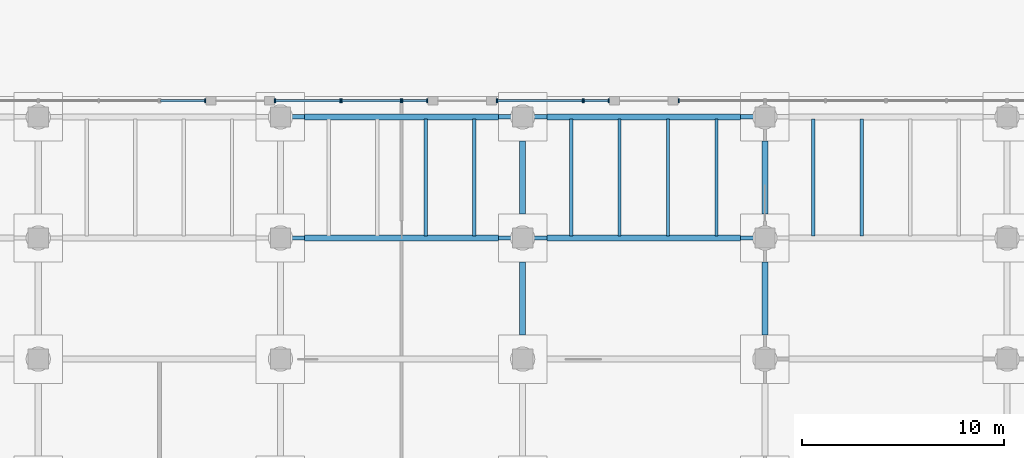
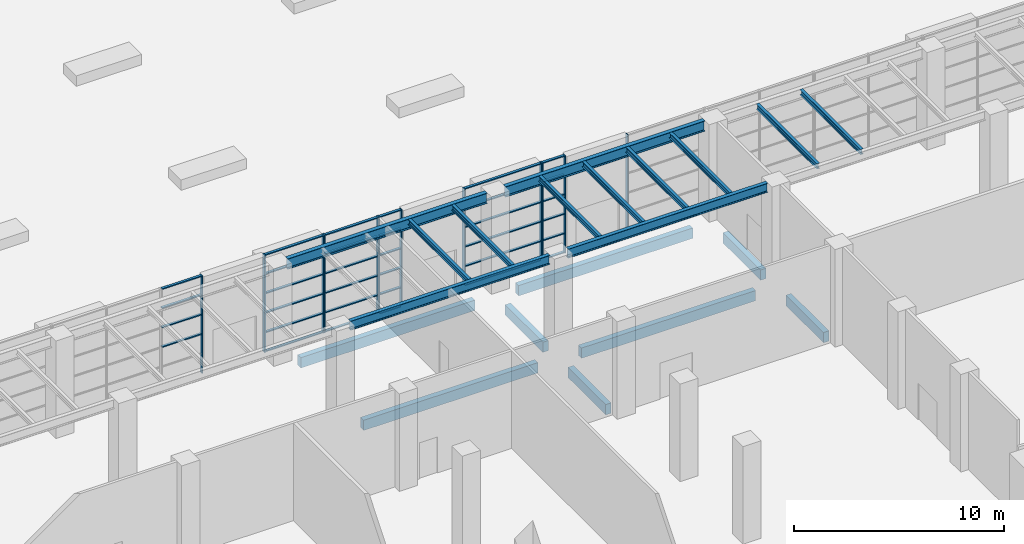
# One storey, part 4 of 27: 46 members, 20 beams, 7 elements without a shape of their own.
"""IFC4 building model written with IfcOpenShell, lengths in metres."""

from ifc_helpers import new_model, si_unit, direction, frame, origin, origin_2d, place, context, subcontext, project, spatial, rectangle, i_section, extrude, source, transform, mapped, material, layer, layer_set, material_profile, profile_set, type_object, element, aggregate, save


model = new_model("IFC4")

# Units and contexts
model_context = context("Model", 3, precision=1e-05, world=origin(), true_north=direction((0.0, 1.0)))
body_context = subcontext(model_context, "Body", "Model", "MODEL_VIEW")
ifc_project = project(units=[si_unit("LENGTHUNIT", "METRE"), si_unit("AREAUNIT", "SQUARE_METRE"), si_unit("VOLUMEUNIT", "CUBIC_METRE"), si_unit("PLANEANGLEUNIT", "RADIAN"), si_unit("MASSUNIT", "GRAM", prefix="KILO")], contexts=[model_context])

# Site, building, storey
site_placement = place(None, origin())
site = spatial("IfcSite", under=ifc_project, at=site_placement, CompositionType="ELEMENT")
building_placement = place(site_placement, origin())
building = spatial("IfcBuilding", under=site, at=building_placement, Name="Poui Terraces", CompositionType="ELEMENT")
storey_placement = place(building_placement, origin())
storey = spatial("IfcBuildingStorey", under=building, at=storey_placement, Name="L00", CompositionType="ELEMENT", Elevation=0.0)

# Curtain wall, member
ifc_material_1 = material(Name="Clear glass", Category="glass")
ifc_layer_1 = layer(ifc_material_1, 0.199951171875)
ifc_layer_set_1 = layer_set([ifc_layer_1], Name="Clear glass")
curtain_wall_type_1 = type_object("IfcCurtainWallType", Name="CURTAIN WALL CW-A HEALTH CENTRE FRONTAGE", PredefinedType="NOTDEFINED", material=ifc_layer_set_1)
curtain_wall_1_placement = place(storey_placement, origin())
curtain_wall_1 = element("IfcCurtainWall", 1, at=curtain_wall_1_placement, inside=storey, type_object=curtain_wall_type_1, Name="CW-A HEALTH CENTRE FRONTAGE", PredefinedType="NOTDEFINED")
ifc_material_2 = material(Name="Aluminium frame", Category="aluminium")
ifc_material_profile_1 = material_profile(ifc_material_2, rectangle(XDim=0.199951171875, YDim=0.06005859375, at=origin_2d()), Name="CW-A MULLION 60X200")
ifc_profile_set_1 = profile_set([ifc_material_profile_1], Name="Aluminium frame")
member_type_1 = type_object("IfcMemberType", Name="CW-A MULLION 60X200", PredefinedType="MULLION", material=ifc_profile_set_1)
member_1_placement = place(storey_placement, frame((20.27001953125, 74.800048828125, 0.0), z_axis=(0.0, 0.0, 1.0), x_axis=(0.0, -1.0, 0.0)))
member_1 = element("IfcMember", 2, at=member_1_placement, type_object=member_type_1, Name="CW-A mullion 1", PredefinedType="MULLION", context=body_context, shape_type="SweptSolid", body=[
    extrude(rectangle(XDim=0.199951171875, YDim=0.06005859375, at=origin_2d()), origin(), (0.0, 0.0, 1.0), 5.679931640625),
])

# Curtain wall, members
curtain_wall_2_placement = place(storey_placement, origin())
curtain_wall_2 = element("IfcCurtainWall", 3, at=curtain_wall_2_placement, inside=storey, type_object=curtain_wall_type_1, Name="CW-A HEALTH CENTRE FRONTAGE", PredefinedType="NOTDEFINED")
member_2_placement = place(storey_placement, frame((26.969970703125, 74.800048828125, 0.0), z_axis=(0.0, 0.0, 1.0), x_axis=(0.0, -1.0, 0.0)))
member_2 = element("IfcMember", 4, at=member_2_placement, type_object=member_type_1, Name="CW-A mullion 1", PredefinedType="MULLION", context=body_context, shape_type="SweptSolid", body=[
    extrude(rectangle(XDim=0.199951171875, YDim=0.06005859375, at=origin_2d()), origin(), (0.0, 0.0, 1.0), 5.679931640625),
])
member_3_placement = place(storey_placement, frame((23.72998046875, 74.800048828125, 0.0), z_axis=(0.0, 0.0, 1.0), x_axis=(0.0, -1.0, 0.0)))
member_3 = element("IfcMember", 5, at=member_3_placement, type_object=member_type_1, Name="CW-A mullion 2", PredefinedType="MULLION", context=body_context, shape_type="SweptSolid", body=[
    extrude(rectangle(XDim=0.199951171875, YDim=0.06005859375, at=origin_2d()), origin(), (0.0, 0.0, 1.0), 5.679931640625),
])

curtain_wall_3_placement = place(storey_placement, origin())
curtain_wall_3 = element("IfcCurtainWall", 6, at=curtain_wall_3_placement, inside=storey, type_object=curtain_wall_type_1, Name="CW-A HEALTH CENTRE FRONTAGE", PredefinedType="NOTDEFINED")
member_4_placement = place(storey_placement, frame((29.969970703125, 74.800048828125, 0.0), z_axis=(0.0, 0.0, 1.0), x_axis=(0.0, -1.0, 0.0)))
member_4 = element("IfcMember", 7, at=member_4_placement, type_object=member_type_1, Name="CW-A mullion 1", PredefinedType="MULLION", context=body_context, shape_type="SweptSolid", body=[
    extrude(rectangle(XDim=0.199951171875, YDim=0.06005859375, at=origin_2d()), origin(), (0.0, 0.0, 1.0), 5.679931640625),
])
member_5_placement = place(storey_placement, frame((27.030029296875, 74.800048828125, 0.0), z_axis=(0.0, 0.0, 1.0), x_axis=(0.0, -1.0, 0.0)))
member_5 = element("IfcMember", 8, at=member_5_placement, type_object=member_type_1, Name="CW-A mullion 2", PredefinedType="MULLION", context=body_context, shape_type="SweptSolid", body=[
    extrude(rectangle(XDim=0.199951171875, YDim=0.06005859375, at=origin_2d()), origin(), (0.0, 0.0, 1.0), 5.679931640625),
])

curtain_wall_4_placement = place(storey_placement, origin())
curtain_wall_4 = element("IfcCurtainWall", 9, at=curtain_wall_4_placement, inside=storey, type_object=curtain_wall_type_1, Name="CW-A HEALTH CENTRE FRONTAGE", PredefinedType="NOTDEFINED")
member_6_placement = place(storey_placement, frame((31.27001953125, 74.800048828125, 0.0), z_axis=(0.0, 0.0, 1.0), x_axis=(0.0, -1.0, 0.0)))
member_6 = element("IfcMember", 10, at=member_6_placement, type_object=member_type_1, Name="CW-A mullion 1", PredefinedType="MULLION", context=body_context, shape_type="SweptSolid", body=[
    extrude(rectangle(XDim=0.199951171875, YDim=0.06005859375, at=origin_2d()), origin(), (0.0, 0.0, 1.0), 5.679931640625),
])
member_7_placement = place(storey_placement, frame((30.030029296875, 74.800048828125, 0.0), z_axis=(0.0, 0.0, 1.0), x_axis=(0.0, -1.0, 0.0)))
member_7 = element("IfcMember", 11, at=member_7_placement, type_object=member_type_1, Name="CW-A mullion 2", PredefinedType="MULLION", context=body_context, shape_type="SweptSolid", body=[
    extrude(rectangle(XDim=0.199951171875, YDim=0.06005859375, at=origin_2d()), origin(), (0.0, 0.0, 1.0), 5.679931640625),
])

curtain_wall_5_placement = place(storey_placement, origin())
curtain_wall_5 = element("IfcCurtainWall", 12, at=curtain_wall_5_placement, inside=storey, type_object=curtain_wall_type_1, Name="CW-A HEALTH CENTRE FRONTAGE", PredefinedType="NOTDEFINED")
member_8_placement = place(storey_placement, frame((38.969970703125, 74.800048828125, 0.0), z_axis=(0.0, 0.0, 1.0), x_axis=(0.0, -1.0, 0.0)))
member_8 = element("IfcMember", 13, at=member_8_placement, type_object=member_type_1, Name="CW-A mullion 1", PredefinedType="MULLION", context=body_context, shape_type="SweptSolid", body=[
    extrude(rectangle(XDim=0.199951171875, YDim=0.06005859375, at=origin_2d()), origin(), (0.0, 0.0, 1.0), 5.679931640625),
])
member_9_placement = place(storey_placement, frame((34.72998046875, 74.800048828125, 0.0), z_axis=(0.0, 0.0, 1.0), x_axis=(0.0, -1.0, 0.0)))
member_9 = element("IfcMember", 14, at=member_9_placement, type_object=member_type_1, Name="CW-A mullion 2", PredefinedType="MULLION", context=body_context, shape_type="SweptSolid", body=[
    extrude(rectangle(XDim=0.199951171875, YDim=0.06005859375, at=origin_2d()), origin(), (0.0, 0.0, 1.0), 5.679931640625),
])

curtain_wall_6_placement = place(storey_placement, origin())
curtain_wall_6 = element("IfcCurtainWall", 15, at=curtain_wall_6_placement, inside=storey, type_object=curtain_wall_type_1, Name="CW-A HEALTH CENTRE FRONTAGE", PredefinedType="NOTDEFINED")
member_10_placement = place(storey_placement, frame((40.27001953125, 74.800048828125, 0.0), z_axis=(0.0, 0.0, 1.0), x_axis=(0.0, -1.0, 0.0)))
member_10 = element("IfcMember", 16, at=member_10_placement, type_object=member_type_1, Name="CW-A mullion 1", PredefinedType="MULLION", context=body_context, shape_type="SweptSolid", body=[
    extrude(rectangle(XDim=0.199951171875, YDim=0.06005859375, at=origin_2d()), origin(), (0.0, 0.0, 1.0), 5.679931640625),
])
member_11_placement = place(storey_placement, frame((39.030029296875, 74.800048828125, 0.0), z_axis=(0.0, 0.0, 1.0), x_axis=(0.0, -1.0, 0.0)))
member_11 = element("IfcMember", 17, at=member_11_placement, type_object=member_type_1, Name="CW-A mullion 2", PredefinedType="MULLION", context=body_context, shape_type="SweptSolid", body=[
    extrude(rectangle(XDim=0.199951171875, YDim=0.06005859375, at=origin_2d()), origin(), (0.0, 0.0, 1.0), 5.679931640625),
])

# Member
ifc_material_profile_2 = material_profile(ifc_material_2, rectangle(XDim=0.139892578125, YDim=0.06005859375, at=origin_2d()), Name="CW-A TRANSOM 60X140")
ifc_profile_set_2 = profile_set([ifc_material_profile_2], Name="Aluminium frame")
member_type_2 = type_object("IfcMemberType", Name="CW-A TRANSOM 60X140", PredefinedType="USERDEFINED", material=ifc_profile_set_2)
member_12_placement = place(storey_placement, frame((20.239990234375, 74.800048828125, 2.27197265625), z_axis=(-1.0, 0.0, 0.0), x_axis=(0.0, -1.0, 0.0)))
member_12 = element("IfcMember", 18, at=member_12_placement, type_object=member_type_2, Name="CW-A transom 1.3", ObjectType="TRANSOM", PredefinedType="USERDEFINED", context=body_context, shape_type="SweptSolid", body=[
    extrude(rectangle(XDim=0.139892578125, YDim=0.06005859375, at=origin_2d()), origin(), (0.0, 0.0, 1.0), 2.179931640625),
])

member_13_placement = place(storey_placement, frame((20.239990234375, 74.800048828125, 3.407958984375), z_axis=(-1.0, 0.0, 0.0), x_axis=(0.0, -1.0, 0.0)))
member_13 = element("IfcMember", 19, at=member_13_placement, type_object=member_type_2, Name="CW-A transom 1.4", ObjectType="TRANSOM", PredefinedType="USERDEFINED", context=body_context, shape_type="SweptSolid", body=[
    extrude(rectangle(XDim=0.139892578125, YDim=0.06005859375, at=origin_2d()), origin(), (0.0, 0.0, 1.0), 2.179931640625),
])

member_14_placement = place(storey_placement, frame((20.239990234375, 74.800048828125, 4.5439453125), z_axis=(-1.0, 0.0, 0.0), x_axis=(0.0, -1.0, 0.0)))
member_14 = element("IfcMember", 20, at=member_14_placement, type_object=member_type_2, Name="CW-A transom 1.5", ObjectType="TRANSOM", PredefinedType="USERDEFINED", context=body_context, shape_type="SweptSolid", body=[
    extrude(rectangle(XDim=0.139892578125, YDim=0.06005859375, at=origin_2d()), origin(), (0.0, 0.0, 1.0), 2.179931640625),
])

member_15_placement = place(storey_placement, frame((20.239990234375, 74.800048828125, 5.64990234375), z_axis=(-1.0, 0.0, 0.0), x_axis=(0.0, -1.0, 0.0)))
member_15 = element("IfcMember", 21, at=member_15_placement, type_object=member_type_2, Name="CW-A transom 1.6", ObjectType="TRANSOM", PredefinedType="USERDEFINED", context=body_context, shape_type="SweptSolid", body=[
    extrude(rectangle(XDim=0.139892578125, YDim=0.06005859375, at=origin_2d()), origin(), (0.0, 0.0, 1.0), 2.179931640625),
])

aggregate(curtain_wall_1, [member_1, member_12, member_13, member_14, member_15])

member_16_placement = place(storey_placement, frame((26.93994140625, 74.800048828125, 0.030029296875), z_axis=(-1.0, 0.0, 0.0), x_axis=(0.0, -1.0, 0.0)))
member_16 = element("IfcMember", 22, at=member_16_placement, type_object=member_type_2, Name="CW-A transom 1.1", ObjectType="TRANSOM", PredefinedType="USERDEFINED", context=body_context, shape_type="SweptSolid", body=[
    extrude(rectangle(XDim=0.139892578125, YDim=0.06005859375, at=origin_2d()), origin(), (0.0, 0.0, 1.0), 3.179931640625),
])

member_17_placement = place(storey_placement, frame((26.93994140625, 74.800048828125, 1.135986328125), z_axis=(-1.0, 0.0, 0.0), x_axis=(0.0, -1.0, 0.0)))
member_17 = element("IfcMember", 23, at=member_17_placement, type_object=member_type_2, Name="CW-A transom 1.2", ObjectType="TRANSOM", PredefinedType="USERDEFINED", context=body_context, shape_type="SweptSolid", body=[
    extrude(rectangle(XDim=0.139892578125, YDim=0.06005859375, at=origin_2d()), origin(), (0.0, 0.0, 1.0), 3.179931640625),
])

member_18_placement = place(storey_placement, frame((26.93994140625, 74.800048828125, 2.27197265625), z_axis=(-1.0, 0.0, 0.0), x_axis=(0.0, -1.0, 0.0)))
member_18 = element("IfcMember", 24, at=member_18_placement, type_object=member_type_2, Name="CW-A transom 1.3", ObjectType="TRANSOM", PredefinedType="USERDEFINED", context=body_context, shape_type="SweptSolid", body=[
    extrude(rectangle(XDim=0.139892578125, YDim=0.06005859375, at=origin_2d()), origin(), (0.0, 0.0, 1.0), 3.179931640625),
])

member_19_placement = place(storey_placement, frame((26.93994140625, 74.800048828125, 3.407958984375), z_axis=(-1.0, 0.0, 0.0), x_axis=(0.0, -1.0, 0.0)))
member_19 = element("IfcMember", 25, at=member_19_placement, type_object=member_type_2, Name="CW-A transom 1.4", ObjectType="TRANSOM", PredefinedType="USERDEFINED", context=body_context, shape_type="SweptSolid", body=[
    extrude(rectangle(XDim=0.139892578125, YDim=0.06005859375, at=origin_2d()), origin(), (0.0, 0.0, 1.0), 3.179931640625),
])

member_20_placement = place(storey_placement, frame((26.93994140625, 74.800048828125, 4.5439453125), z_axis=(-1.0, 0.0, 0.0), x_axis=(0.0, -1.0, 0.0)))
member_20 = element("IfcMember", 26, at=member_20_placement, type_object=member_type_2, Name="CW-A transom 1.5", ObjectType="TRANSOM", PredefinedType="USERDEFINED", context=body_context, shape_type="SweptSolid", body=[
    extrude(rectangle(XDim=0.139892578125, YDim=0.06005859375, at=origin_2d()), origin(), (0.0, 0.0, 1.0), 3.179931640625),
])

member_21_placement = place(storey_placement, frame((26.93994140625, 74.800048828125, 5.64990234375), z_axis=(-1.0, 0.0, 0.0), x_axis=(0.0, -1.0, 0.0)))
member_21 = element("IfcMember", 27, at=member_21_placement, type_object=member_type_2, Name="CW-A transom 1.6", ObjectType="TRANSOM", PredefinedType="USERDEFINED", context=body_context, shape_type="SweptSolid", body=[
    extrude(rectangle(XDim=0.139892578125, YDim=0.06005859375, at=origin_2d()), origin(), (0.0, 0.0, 1.0), 3.179931640625),
])

aggregate(curtain_wall_2, [member_2, member_3, member_16, member_17, member_18, member_19, member_20, member_21])

member_22_placement = place(storey_placement, frame((29.93994140625, 74.800048828125, 0.030029296875), z_axis=(-1.0, 0.0, 0.0), x_axis=(0.0, -1.0, 0.0)))
member_22 = element("IfcMember", 28, at=member_22_placement, type_object=member_type_2, Name="CW-A transom 1.1", ObjectType="TRANSOM", PredefinedType="USERDEFINED", context=body_context, shape_type="SweptSolid", body=[
    extrude(rectangle(XDim=0.139892578125, YDim=0.06005859375, at=origin_2d()), origin(), (0.0, 0.0, 1.0), 2.8798828125),
])

member_23_placement = place(storey_placement, frame((29.93994140625, 74.800048828125, 1.135986328125), z_axis=(-1.0, 0.0, 0.0), x_axis=(0.0, -1.0, 0.0)))
member_23 = element("IfcMember", 29, at=member_23_placement, type_object=member_type_2, Name="CW-A transom 1.2", ObjectType="TRANSOM", PredefinedType="USERDEFINED", context=body_context, shape_type="SweptSolid", body=[
    extrude(rectangle(XDim=0.139892578125, YDim=0.06005859375, at=origin_2d()), origin(), (0.0, 0.0, 1.0), 2.8798828125),
])

member_24_placement = place(storey_placement, frame((29.93994140625, 74.800048828125, 2.27197265625), z_axis=(-1.0, 0.0, 0.0), x_axis=(0.0, -1.0, 0.0)))
member_24 = element("IfcMember", 30, at=member_24_placement, type_object=member_type_2, Name="CW-A transom 1.3", ObjectType="TRANSOM", PredefinedType="USERDEFINED", context=body_context, shape_type="SweptSolid", body=[
    extrude(rectangle(XDim=0.139892578125, YDim=0.06005859375, at=origin_2d()), origin(), (0.0, 0.0, 1.0), 2.8798828125),
])

member_25_placement = place(storey_placement, frame((29.93994140625, 74.800048828125, 3.407958984375), z_axis=(-1.0, 0.0, 0.0), x_axis=(0.0, -1.0, 0.0)))
member_25 = element("IfcMember", 31, at=member_25_placement, type_object=member_type_2, Name="CW-A transom 1.4", ObjectType="TRANSOM", PredefinedType="USERDEFINED", context=body_context, shape_type="SweptSolid", body=[
    extrude(rectangle(XDim=0.139892578125, YDim=0.06005859375, at=origin_2d()), origin(), (0.0, 0.0, 1.0), 2.8798828125),
])

member_26_placement = place(storey_placement, frame((29.93994140625, 74.800048828125, 4.5439453125), z_axis=(-1.0, 0.0, 0.0), x_axis=(0.0, -1.0, 0.0)))
member_26 = element("IfcMember", 32, at=member_26_placement, type_object=member_type_2, Name="CW-A transom 1.5", ObjectType="TRANSOM", PredefinedType="USERDEFINED", context=body_context, shape_type="SweptSolid", body=[
    extrude(rectangle(XDim=0.139892578125, YDim=0.06005859375, at=origin_2d()), origin(), (0.0, 0.0, 1.0), 2.8798828125),
])

member_27_placement = place(storey_placement, frame((29.93994140625, 74.800048828125, 5.64990234375), z_axis=(-1.0, 0.0, 0.0), x_axis=(0.0, -1.0, 0.0)))
member_27 = element("IfcMember", 33, at=member_27_placement, type_object=member_type_2, Name="CW-A transom 1.6", ObjectType="TRANSOM", PredefinedType="USERDEFINED", context=body_context, shape_type="SweptSolid", body=[
    extrude(rectangle(XDim=0.139892578125, YDim=0.06005859375, at=origin_2d()), origin(), (0.0, 0.0, 1.0), 2.8798828125),
])

aggregate(curtain_wall_3, [member_4, member_5, member_22, member_23, member_24, member_25, member_26, member_27])

member_28_placement = place(storey_placement, frame((31.239990234375, 74.800048828125, 0.030029296875), z_axis=(-1.0, 0.0, 0.0), x_axis=(0.0, -1.0, 0.0)))
member_28 = element("IfcMember", 34, at=member_28_placement, type_object=member_type_2, Name="CW-A transom 1.1", ObjectType="TRANSOM", PredefinedType="USERDEFINED", context=body_context, shape_type="SweptSolid", body=[
    extrude(rectangle(XDim=0.139892578125, YDim=0.06005859375, at=origin_2d()), origin(), (0.0, 0.0, 1.0), 1.179931640625),
])

member_29_placement = place(storey_placement, frame((31.239990234375, 74.800048828125, 1.135986328125), z_axis=(-1.0, 0.0, 0.0), x_axis=(0.0, -1.0, 0.0)))
member_29 = element("IfcMember", 35, at=member_29_placement, type_object=member_type_2, Name="CW-A transom 1.2", ObjectType="TRANSOM", PredefinedType="USERDEFINED", context=body_context, shape_type="SweptSolid", body=[
    extrude(rectangle(XDim=0.139892578125, YDim=0.06005859375, at=origin_2d()), origin(), (0.0, 0.0, 1.0), 1.179931640625),
])

member_30_placement = place(storey_placement, frame((31.239990234375, 74.800048828125, 2.27197265625), z_axis=(-1.0, 0.0, 0.0), x_axis=(0.0, -1.0, 0.0)))
member_30 = element("IfcMember", 36, at=member_30_placement, type_object=member_type_2, Name="CW-A transom 1.3", ObjectType="TRANSOM", PredefinedType="USERDEFINED", context=body_context, shape_type="SweptSolid", body=[
    extrude(rectangle(XDim=0.139892578125, YDim=0.06005859375, at=origin_2d()), origin(), (0.0, 0.0, 1.0), 1.179931640625),
])

member_31_placement = place(storey_placement, frame((31.239990234375, 74.800048828125, 3.407958984375), z_axis=(-1.0, 0.0, 0.0), x_axis=(0.0, -1.0, 0.0)))
member_31 = element("IfcMember", 37, at=member_31_placement, type_object=member_type_2, Name="CW-A transom 1.4", ObjectType="TRANSOM", PredefinedType="USERDEFINED", context=body_context, shape_type="SweptSolid", body=[
    extrude(rectangle(XDim=0.139892578125, YDim=0.06005859375, at=origin_2d()), origin(), (0.0, 0.0, 1.0), 1.179931640625),
])

member_32_placement = place(storey_placement, frame((31.239990234375, 74.800048828125, 4.5439453125), z_axis=(-1.0, 0.0, 0.0), x_axis=(0.0, -1.0, 0.0)))
member_32 = element("IfcMember", 38, at=member_32_placement, type_object=member_type_2, Name="CW-A transom 1.5", ObjectType="TRANSOM", PredefinedType="USERDEFINED", context=body_context, shape_type="SweptSolid", body=[
    extrude(rectangle(XDim=0.139892578125, YDim=0.06005859375, at=origin_2d()), origin(), (0.0, 0.0, 1.0), 1.179931640625),
])

member_33_placement = place(storey_placement, frame((31.239990234375, 74.800048828125, 5.64990234375), z_axis=(-1.0, 0.0, 0.0), x_axis=(0.0, -1.0, 0.0)))
member_33 = element("IfcMember", 39, at=member_33_placement, type_object=member_type_2, Name="CW-A transom 1.6", ObjectType="TRANSOM", PredefinedType="USERDEFINED", context=body_context, shape_type="SweptSolid", body=[
    extrude(rectangle(XDim=0.139892578125, YDim=0.06005859375, at=origin_2d()), origin(), (0.0, 0.0, 1.0), 1.179931640625),
])

aggregate(curtain_wall_4, [member_6, member_7, member_28, member_29, member_30, member_31, member_32, member_33])

member_34_placement = place(storey_placement, frame((38.93994140625, 74.800048828125, 0.030029296875), z_axis=(-1.0, 0.0, 0.0), x_axis=(0.0, -1.0, 0.0)))
member_34 = element("IfcMember", 40, at=member_34_placement, type_object=member_type_2, Name="CW-A transom 1.1", ObjectType="TRANSOM", PredefinedType="USERDEFINED", context=body_context, shape_type="SweptSolid", body=[
    extrude(rectangle(XDim=0.139892578125, YDim=0.06005859375, at=origin_2d()), origin(), (0.0, 0.0, 1.0), 4.179931640625),
])

member_35_placement = place(storey_placement, frame((38.93994140625, 74.800048828125, 1.135986328125), z_axis=(-1.0, 0.0, 0.0), x_axis=(0.0, -1.0, 0.0)))
member_35 = element("IfcMember", 41, at=member_35_placement, type_object=member_type_2, Name="CW-A transom 1.2", ObjectType="TRANSOM", PredefinedType="USERDEFINED", context=body_context, shape_type="SweptSolid", body=[
    extrude(rectangle(XDim=0.139892578125, YDim=0.06005859375, at=origin_2d()), origin(), (0.0, 0.0, 1.0), 4.179931640625),
])

member_36_placement = place(storey_placement, frame((38.93994140625, 74.800048828125, 2.27197265625), z_axis=(-1.0, 0.0, 0.0), x_axis=(0.0, -1.0, 0.0)))
member_36 = element("IfcMember", 42, at=member_36_placement, type_object=member_type_2, Name="CW-A transom 1.3", ObjectType="TRANSOM", PredefinedType="USERDEFINED", context=body_context, shape_type="SweptSolid", body=[
    extrude(rectangle(XDim=0.139892578125, YDim=0.06005859375, at=origin_2d()), origin(), (0.0, 0.0, 1.0), 4.179931640625),
])

member_37_placement = place(storey_placement, frame((38.93994140625, 74.800048828125, 3.407958984375), z_axis=(-1.0, 0.0, 0.0), x_axis=(0.0, -1.0, 0.0)))
member_37 = element("IfcMember", 43, at=member_37_placement, type_object=member_type_2, Name="CW-A transom 1.4", ObjectType="TRANSOM", PredefinedType="USERDEFINED", context=body_context, shape_type="SweptSolid", body=[
    extrude(rectangle(XDim=0.139892578125, YDim=0.06005859375, at=origin_2d()), origin(), (0.0, 0.0, 1.0), 4.179931640625),
])

member_38_placement = place(storey_placement, frame((38.93994140625, 74.800048828125, 4.5439453125), z_axis=(-1.0, 0.0, 0.0), x_axis=(0.0, -1.0, 0.0)))
member_38 = element("IfcMember", 44, at=member_38_placement, type_object=member_type_2, Name="CW-A transom 1.5", ObjectType="TRANSOM", PredefinedType="USERDEFINED", context=body_context, shape_type="SweptSolid", body=[
    extrude(rectangle(XDim=0.139892578125, YDim=0.06005859375, at=origin_2d()), origin(), (0.0, 0.0, 1.0), 4.179931640625),
])

member_39_placement = place(storey_placement, frame((38.93994140625, 74.800048828125, 5.64990234375), z_axis=(-1.0, 0.0, 0.0), x_axis=(0.0, -1.0, 0.0)))
member_39 = element("IfcMember", 45, at=member_39_placement, type_object=member_type_2, Name="CW-A transom 1.6", ObjectType="TRANSOM", PredefinedType="USERDEFINED", context=body_context, shape_type="SweptSolid", body=[
    extrude(rectangle(XDim=0.139892578125, YDim=0.06005859375, at=origin_2d()), origin(), (0.0, 0.0, 1.0), 4.179931640625),
])

aggregate(curtain_wall_5, [member_8, member_9, member_34, member_35, member_36, member_37, member_38, member_39])

member_40_placement = place(storey_placement, frame((40.239990234375, 74.800048828125, 0.030029296875), z_axis=(-1.0, 0.0, 0.0), x_axis=(0.0, -1.0, 0.0)))
member_40 = element("IfcMember", 46, at=member_40_placement, type_object=member_type_2, Name="CW-A transom 1.1", ObjectType="TRANSOM", PredefinedType="USERDEFINED", context=body_context, shape_type="SweptSolid", body=[
    extrude(rectangle(XDim=0.139892578125, YDim=0.06005859375, at=origin_2d()), origin(), (0.0, 0.0, 1.0), 1.179931640625),
])

member_41_placement = place(storey_placement, frame((40.239990234375, 74.800048828125, 1.135986328125), z_axis=(-1.0, 0.0, 0.0), x_axis=(0.0, -1.0, 0.0)))
member_41 = element("IfcMember", 47, at=member_41_placement, type_object=member_type_2, Name="CW-A transom 1.2", ObjectType="TRANSOM", PredefinedType="USERDEFINED", context=body_context, shape_type="SweptSolid", body=[
    extrude(rectangle(XDim=0.139892578125, YDim=0.06005859375, at=origin_2d()), origin(), (0.0, 0.0, 1.0), 1.179931640625),
])

member_42_placement = place(storey_placement, frame((40.239990234375, 74.800048828125, 2.27197265625), z_axis=(-1.0, 0.0, 0.0), x_axis=(0.0, -1.0, 0.0)))
member_42 = element("IfcMember", 48, at=member_42_placement, type_object=member_type_2, Name="CW-A transom 1.3", ObjectType="TRANSOM", PredefinedType="USERDEFINED", context=body_context, shape_type="SweptSolid", body=[
    extrude(rectangle(XDim=0.139892578125, YDim=0.06005859375, at=origin_2d()), origin(), (0.0, 0.0, 1.0), 1.179931640625),
])

member_43_placement = place(storey_placement, frame((40.239990234375, 74.800048828125, 3.407958984375), z_axis=(-1.0, 0.0, 0.0), x_axis=(0.0, -1.0, 0.0)))
member_43 = element("IfcMember", 49, at=member_43_placement, type_object=member_type_2, Name="CW-A transom 1.4", ObjectType="TRANSOM", PredefinedType="USERDEFINED", context=body_context, shape_type="SweptSolid", body=[
    extrude(rectangle(XDim=0.139892578125, YDim=0.06005859375, at=origin_2d()), origin(), (0.0, 0.0, 1.0), 1.179931640625),
])

member_44_placement = place(storey_placement, frame((40.239990234375, 74.800048828125, 4.5439453125), z_axis=(-1.0, 0.0, 0.0), x_axis=(0.0, -1.0, 0.0)))
member_44 = element("IfcMember", 50, at=member_44_placement, type_object=member_type_2, Name="CW-A transom 1.5", ObjectType="TRANSOM", PredefinedType="USERDEFINED", context=body_context, shape_type="SweptSolid", body=[
    extrude(rectangle(XDim=0.139892578125, YDim=0.06005859375, at=origin_2d()), origin(), (0.0, 0.0, 1.0), 1.179931640625),
])

member_45_placement = place(storey_placement, frame((40.239990234375, 74.800048828125, 5.64990234375), z_axis=(-1.0, 0.0, 0.0), x_axis=(0.0, -1.0, 0.0)))
member_45 = element("IfcMember", 51, at=member_45_placement, type_object=member_type_2, Name="CW-A transom 1.6", ObjectType="TRANSOM", PredefinedType="USERDEFINED", context=body_context, shape_type="SweptSolid", body=[
    extrude(rectangle(XDim=0.139892578125, YDim=0.06005859375, at=origin_2d()), origin(), (0.0, 0.0, 1.0), 1.179931640625),
])

aggregate(curtain_wall_6, [member_10, member_11, member_40, member_41, member_42, member_43, member_44, member_45])

# Curtain wall, member
ifc_layer_2 = layer(ifc_material_1, 0.179931640625)
ifc_layer_set_2 = layer_set([ifc_layer_2], Name="Clear glass")
curtain_wall_type_2 = type_object("IfcCurtainWallType", Name="CURTAIN WALL CW-B RESIDENT LOBBY GLAZING", PredefinedType="NOTDEFINED", material=ifc_layer_set_2)
curtain_wall_7_placement = place(storey_placement, origin())
curtain_wall_7 = element("IfcCurtainWall", 52, at=curtain_wall_7_placement, inside=storey, type_object=curtain_wall_type_2, Name="CW-B RESIDENT LOBBY GLAZING", PredefinedType="NOTDEFINED")
ifc_material_profile_3 = material_profile(ifc_material_2, rectangle(XDim=0.179931640625, YDim=0.06005859375, at=origin_2d()), Name="CW-B MULLION 60X180")
ifc_profile_set_3 = profile_set([ifc_material_profile_3], Name="Aluminium frame")
member_type_3 = type_object("IfcMemberType", Name="CW-B MULLION 60X180", PredefinedType="MULLION", material=ifc_profile_set_3)
member_46_placement = place(storey_placement, frame((43.72998046875, 74.800048828125, 0.0), z_axis=(0.0, 0.0, 1.0), x_axis=(0.0, -1.0, 0.0)))
member_46 = element("IfcMember", 53, at=member_46_placement, type_object=member_type_3, Name="CW-B mullion 2", PredefinedType="MULLION", context=body_context, shape_type="SweptSolid", body=[
    extrude(rectangle(XDim=0.179931640625, YDim=0.06005859375, at=origin_2d()), origin(), (0.0, 0.0, 1.0), 5.679931640625),
])
aggregate(curtain_wall_7, [member_46])

# Beams
ifc_material_3 = material(Name="Concrete 50 MPa", Category="concrete")
ifc_material_profile_4 = material_profile(ifc_material_3, rectangle(XDim=0.300048828125, YDim=0.60009765625, at=origin_2d()), Name="RC 300x600")
ifc_profile_set_4 = profile_set([ifc_material_profile_4], Name="Concrete 50 MPa")
beam_type_1 = type_object("IfcBeamType", Name="GROUND TIE BEAM 300x600 50MPa", PredefinedType="BEAM", material=ifc_profile_set_4)
shared_shape_1 = source(origin(), body_context, "Body", "SweptSolid", [
    extrude(rectangle(XDim=0.300048828125, YDim=0.60009765625, at=origin_2d()), origin(), (0.0, 0.0, 1.0), 9.60009765625),
])
for number, where, z_axis, x_axis, name in (
    (54, (25.199951171875, 68.0, -0.60009765625), (1.0, 0.0, 0.0), (0.0, 1.0, 0.0), "GROUND TIE BEAM"),
    (55, (37.199951171875, 68.0, -0.60009765625), (1.0, 0.0, 0.0), (0.0, 1.0, 0.0), "GROUND TIE BEAM"),
    (56, (25.199951171875, 74.0, -0.60009765625), (1.0, 0.0, 0.0), (0.0, 1.0, 0.0), "GROUND TIE BEAM"),
    (57, (37.199951171875, 74.0, -0.60009765625), (1.0, 0.0, 0.0), (0.0, 1.0, 0.0), "GROUND TIE BEAM"),
):
    element("IfcBeam", number, at=place(storey_placement, frame(where, z_axis=z_axis, x_axis=x_axis)), inside=storey, type_object=beam_type_1, Name=name, PredefinedType="BEAM", context=body_context, shape_type="MappedRepresentation", body=[
        mapped(shared_shape_1, transform((0.0, 0.0, 0.0))),
    ])
shared_shape_2 = source(origin(), body_context, "Body", "SweptSolid", [
    extrude(rectangle(XDim=0.300048828125, YDim=0.60009765625, at=origin_2d()), origin(), (0.0, 0.0, 1.0), 3.60009765625),
])
for number, where, z_axis, x_axis, name in (
    (58, (36.0, 63.199951171875, -0.60009765625), (0.0, 1.0, 0.0), (-1.0, 0.0, 0.0), "GROUND TIE BEAM"),
    (59, (48.0, 63.199951171875, -0.60009765625), (0.0, 1.0, 0.0), (-1.0, 0.0, 0.0), "GROUND TIE BEAM"),
    (60, (36.0, 69.199951171875, -0.60009765625), (0.0, 1.0, 0.0), (-1.0, 0.0, 0.0), "GROUND TIE BEAM"),
    (61, (48.0, 69.199951171875, -0.60009765625), (0.0, 1.0, 0.0), (-1.0, 0.0, 0.0), "GROUND TIE BEAM"),
):
    element("IfcBeam", number, at=place(storey_placement, frame(where, z_axis=z_axis, x_axis=x_axis)), inside=storey, type_object=beam_type_1, Name=name, PredefinedType="BEAM", context=body_context, shape_type="MappedRepresentation", body=[
        mapped(shared_shape_2, transform((0.0, 0.0, 0.0))),
    ])
ifc_material_4 = material(Name="Steel Grade 300 MPa", Category="steel")
ifc_material_profile_5 = material_profile(ifc_material_4, i_section(OverallWidth=0.22900390625, OverallDepth=0.611572265625, WebThickness=0.011962890625, FlangeThickness=0.01953125, FilletRadius=0.013916015625, at=origin_2d()), Name="610UB125")
ifc_profile_set_5 = profile_set([ifc_material_profile_5], Name="Steel Grade 300 MPa")
beam_type_2 = type_object("IfcBeamType", Name="TERRACE GIRDER 610UB125", PredefinedType="BEAM", material=ifc_profile_set_5)
shared_shape_3 = source(origin(), body_context, "Body", "SweptSolid", [
    extrude(i_section(OverallWidth=0.22900390625, OverallDepth=0.611572265625, WebThickness=0.011962890625, FlangeThickness=0.01953125, FilletRadius=0.013916015625, at=origin_2d()), origin(), (0.0, 0.0, 1.0), 11.0),
])
for number, where, z_axis, x_axis, name in (
    (62, (24.5, 74.0, 5.374267578125), (1.0, 0.0, 0.0), (0.0, 1.0, 0.0), "TERRACE GIRDER"),
    (63, (36.5, 74.0, 5.374267578125), (1.0, 0.0, 0.0), (0.0, 1.0, 0.0), "TERRACE GIRDER"),
):
    element("IfcBeam", number, at=place(storey_placement, frame(where, z_axis=z_axis, x_axis=x_axis)), inside=storey, type_object=beam_type_2, Name=name, PredefinedType="BEAM", context=body_context, shape_type="MappedRepresentation", body=[
        mapped(shared_shape_3, transform((0.0, 0.0, 0.0))),
    ])
ifc_material_profile_6 = material_profile(ifc_material_4, i_section(OverallWidth=0.208984375, OverallDepth=0.532958984375, WebThickness=0.01025390625, FlangeThickness=0.015625, FilletRadius=0.013916015625, at=origin_2d()), Name="530UB92.4")
ifc_profile_set_6 = profile_set([ifc_material_profile_6], Name="Steel Grade 300 MPa")
beam_type_3 = type_object("IfcBeamType", Name="TERRACE INNER GIRDER 530UB92.4", PredefinedType="BEAM", material=ifc_profile_set_6)
shared_shape_4 = source(origin(), body_context, "Body", "SweptSolid", [
    extrude(i_section(OverallWidth=0.208984375, OverallDepth=0.532958984375, WebThickness=0.01025390625, FlangeThickness=0.015625, FilletRadius=0.013916015625, at=origin_2d()), origin(), (0.0, 0.0, 1.0), 11.0),
])
for number, where, z_axis, x_axis, name in (
    (64, (24.5, 68.0, 5.41357421875), (1.0, 0.0, 0.0), (0.0, 1.0, 0.0), "TERRACE GIRDER"),
    (65, (36.5, 68.0, 5.41357421875), (1.0, 0.0, 0.0), (0.0, 1.0, 0.0), "TERRACE GIRDER"),
):
    element("IfcBeam", number, at=place(storey_placement, frame(where, z_axis=z_axis, x_axis=x_axis)), inside=storey, type_object=beam_type_3, Name=name, PredefinedType="BEAM", context=body_context, shape_type="MappedRepresentation", body=[
        mapped(shared_shape_4, transform((0.0, 0.0, 0.0))),
    ])
ifc_material_profile_7 = material_profile(ifc_material_4, i_section(OverallWidth=0.166015625, OverallDepth=0.30712890625, WebThickness=0.006591796875, FlangeThickness=0.01171875, FilletRadius=0.011474609375, at=origin_2d()), Name="310UB46.2")
ifc_profile_set_7 = profile_set([ifc_material_profile_7], Name="Steel Grade 300 MPa")
beam_type_4 = type_object("IfcBeamType", Name="TERRACE BEAM 310UB46.2", PredefinedType="BEAM", material=ifc_profile_set_7)
shared_shape_5 = source(origin(), body_context, "Body", "SweptSolid", [
    extrude(i_section(OverallWidth=0.166015625, OverallDepth=0.30712890625, WebThickness=0.006591796875, FlangeThickness=0.01171875, FilletRadius=0.011474609375, at=origin_2d()), origin(), (0.0, 0.0, 1.0), 5.781005859375),
])
for number, where, z_axis, x_axis, name in (
    (66, (31.199951171875, 68.1044921875, 5.5263671875), (0.0, 1.0, 0.0), (-1.0, 0.0, 0.0), "TERRACE BEAM"),
    (67, (33.60009765625, 68.1044921875, 5.5263671875), (0.0, 1.0, 0.0), (-1.0, 0.0, 0.0), "TERRACE BEAM"),
    (68, (38.39990234375, 68.1044921875, 5.5263671875), (0.0, 1.0, 0.0), (-1.0, 0.0, 0.0), "TERRACE BEAM"),
    (69, (40.800048828125, 68.1044921875, 5.5263671875), (0.0, 1.0, 0.0), (-1.0, 0.0, 0.0), "TERRACE BEAM"),
    (70, (43.199951171875, 68.1044921875, 5.5263671875), (0.0, 1.0, 0.0), (-1.0, 0.0, 0.0), "TERRACE BEAM"),
    (71, (45.60009765625, 68.1044921875, 5.5263671875), (0.0, 1.0, 0.0), (-1.0, 0.0, 0.0), "TERRACE BEAM"),
    (72, (50.39990234375, 68.1044921875, 5.5263671875), (0.0, 1.0, 0.0), (-1.0, 0.0, 0.0), "TERRACE BEAM"),
    (73, (52.800048828125, 68.1044921875, 5.5263671875), (0.0, 1.0, 0.0), (-1.0, 0.0, 0.0), "TERRACE BEAM"),
):
    element("IfcBeam", number, at=place(storey_placement, frame(where, z_axis=z_axis, x_axis=x_axis)), inside=storey, type_object=beam_type_4, Name=name, PredefinedType="BEAM", context=body_context, shape_type="MappedRepresentation", body=[
        mapped(shared_shape_5, transform((0.0, 0.0, 0.0))),
    ])

save(model, "model.ifc")
